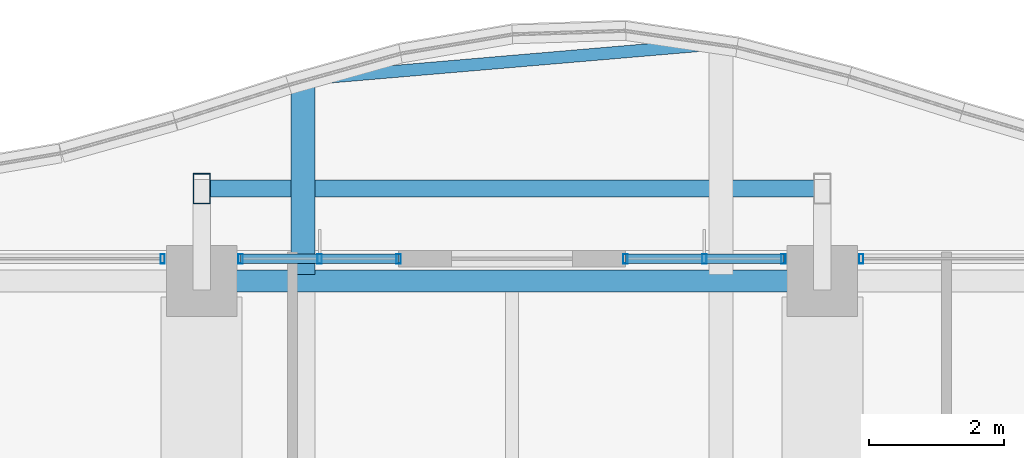
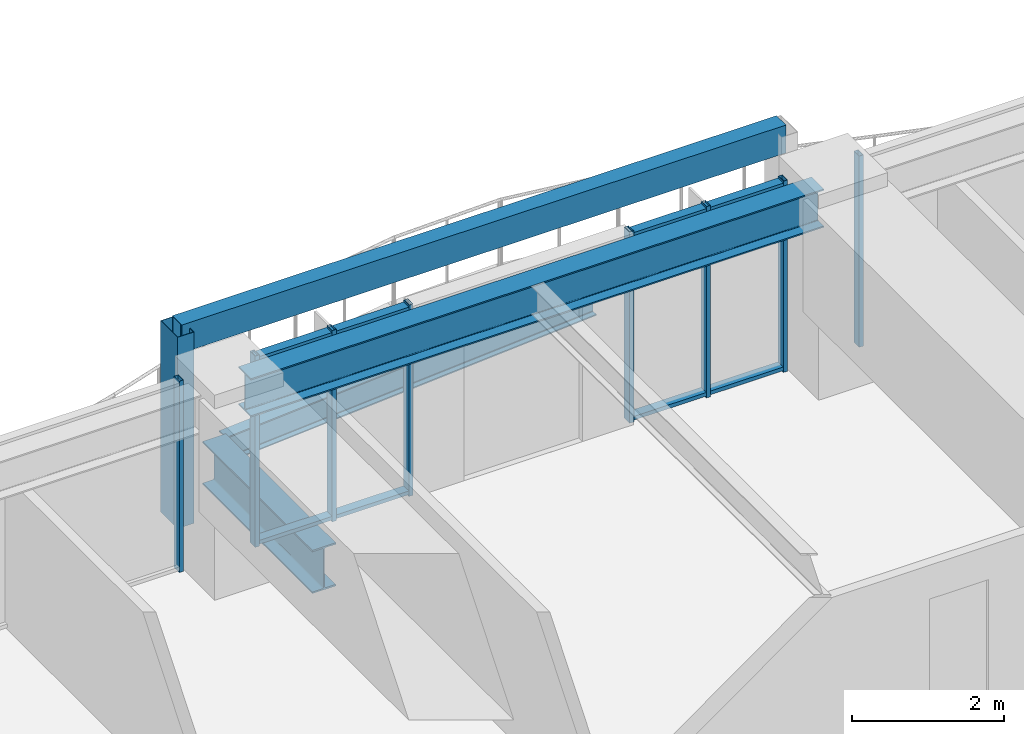
# One storey, part 23 of 39: 14 members, 3 beams, 4 elements without a shape of their own.
"""IFC4 building model written with IfcOpenShell, lengths in metres."""

from ifc_helpers import new_model, si_unit, direction, frame, origin, origin_2d, place, context, subcontext, project, spatial, hollow_rectangle, i_section, extrude, material, material_profile, profile_set, type_object, element, aggregate, save


model = new_model("IFC4")

# Units and contexts
model_context = context("Model", 3, precision=1e-05, world=origin(), true_north=direction((0.0, 1.0)))
body_context = subcontext(model_context, "Body", "Model", "MODEL_VIEW")
ifc_project = project(units=[si_unit("LENGTHUNIT", "METRE"), si_unit("AREAUNIT", "SQUARE_METRE"), si_unit("VOLUMEUNIT", "CUBIC_METRE"), si_unit("PLANEANGLEUNIT", "RADIAN"), si_unit("MASSUNIT", "GRAM", prefix="KILO")], contexts=[model_context])

# Site, building, storey
site_placement = place(None, origin())
site = spatial("IfcSite", under=ifc_project, at=site_placement, CompositionType="ELEMENT")
building_placement = place(site_placement, origin())
building = spatial("IfcBuilding", under=site, at=building_placement, Name="Kolvaren Belvedere", CompositionType="ELEMENT")
storey_placement = place(building_placement, frame((0.0, 0.0, 85.39990234375)))
storey = spatial("IfcBuildingStorey", under=building, at=storey_placement, Name="L24", CompositionType="ELEMENT", Elevation=85.39990234375)

# Beams
ifc_material_1 = material(Name="Structural steel ASTM A992 Grade 50", Category="steel")
ifc_material_profile_1 = material_profile(ifc_material_1, i_section(OverallWidth=0.35498046875, OverallDepth=0.696044921875, WebThickness=0.015380859375, FlangeThickness=0.02490234375, FilletRadius=0.02197265625, at=origin_2d()), Name="W27X146")
ifc_profile_set_1 = profile_set([ifc_material_profile_1], Name="Structural steel ASTM A992 Grade 50")
beam_type_1 = type_object("IfcBeamType", Name="BM-CANT-BAL", PredefinedType="BEAM", material=ifc_profile_set_1)
beam_1_placement = place(storey_placement, frame((-3.10009765625, 20.044921875, -0.56787109375), z_axis=(0.0, 1.0, 0.0), x_axis=(-1.0, 0.0, 0.0)))
element("IfcBeam", 1, at=beam_1_placement, inside=storey, type_object=beam_type_1, Name="L24 Planted Balcony Cantilever BAL-N-1", PredefinedType="BEAM", context=body_context, shape_type="SweptSolid", body=[
    extrude(i_section(OverallWidth=0.35498046875, OverallDepth=0.696044921875, WebThickness=0.015380859375, FlangeThickness=0.02490234375, FilletRadius=0.02197265625, at=origin_2d()), origin(), (0.0, 0.0, 1.0), 2.896484375),
])
ifc_material_2 = material(Name="Structural steel ASTM A992 Grade 50", Category="steel")
ifc_material_profile_2 = material_profile(ifc_material_2, i_section(OverallWidth=0.180908203125, OverallDepth=0.4169921875, WebThickness=0.010986328125, FlangeThickness=0.018310546875, FilletRadius=0.013916015625, at=origin_2d()), Name="W16X57")
ifc_profile_set_2 = profile_set([ifc_material_profile_2], Name="Structural steel ASTM A992 Grade 50")
beam_type_2 = type_object("IfcBeamType", Name="BM-EDGE-W16X57", PredefinedType="BEAM", material=ifc_profile_set_2)
beam_2_placement = place(storey_placement, frame((-2.96044921875, 22.953369140625, -0.428466796875), z_axis=(0.996380629298, 0.085003773793, 0.0), x_axis=(-0.085003773793, 0.996380629298, 0.0)))
element("IfcBeam", 2, at=beam_2_placement, inside=storey, type_object=beam_type_2, Name="L24 Balcony Tip Header Beam BAL-N", PredefinedType="BEAM", context=body_context, shape_type="SweptSolid", body=[
    extrude(i_section(OverallWidth=0.180908203125, OverallDepth=0.4169921875, WebThickness=0.010986328125, FlangeThickness=0.018310546875, FilletRadius=0.013916015625, at=origin_2d()), origin(), (0.0, 0.0, 1.0), 5.9423828125),
])
ifc_material_3 = material(Name="Structural steel ASTM A992 Grade 50", Category="steel")
ifc_material_profile_3 = material_profile(ifc_material_3, i_section(OverallWidth=0.324951171875, OverallDepth=0.615966796875, WebThickness=0.013916015625, FlangeThickness=0.021484375, FilletRadius=0.02001953125, at=origin_2d()), Name="W24X117")
ifc_profile_set_3 = profile_set([ifc_material_profile_3], Name="Structural steel ASTM A992 Grade 50")
beam_type_3 = type_object("IfcBeamType", Name="BM-SPAN-W24X117", PredefinedType="SPANDREL", material=ifc_profile_set_3)
beam_3_placement = place(storey_placement, frame((4.36376953125, 19.949951171875, 2.772216796875), z_axis=(-1.0, 0.0, 0.0), x_axis=(0.0, -1.0, 0.0)))
element("IfcBeam", 3, at=beam_3_placement, inside=storey, type_object=beam_type_3, Name="L24 Perimeter Spandrel N3-N2", PredefinedType="SPANDREL", context=body_context, shape_type="SweptSolid", body=[
    extrude(i_section(OverallWidth=0.324951171875, OverallDepth=0.615966796875, WebThickness=0.013916015625, FlangeThickness=0.021484375, FilletRadius=0.02001953125, at=origin_2d()), origin(), (0.0, 0.0, 1.0), 8.7275390625),
])

# Curtain wall, member
ifc_material_4 = material(Name="Anodised pale-metal aluminium AA 6063-T6", Category="aluminium")
curtain_wall_type = type_object("IfcCurtainWallType", Name="CW-Z2-MID", PredefinedType="NOTDEFINED", material=ifc_material_4)
curtain_wall_1_placement = place(storey_placement, origin())
curtain_wall_1 = element("IfcCurtainWall", 4, at=curtain_wall_1_placement, inside=storey, type_object=curtain_wall_type, Name="L24 Unitised Curtain Wall FCW-L24-N1-B1", PredefinedType="NOTDEFINED")
ifc_material_5 = material(Name="Anodised pale-metal aluminium AA 6063-T6", Category="aluminium")
ifc_material_profile_4 = material_profile(ifc_material_5, hollow_rectangle(XDim=0.06494140625, YDim=0.139892578125, WallThickness=0.00390625, at=origin_2d()), Name="ALU-MUL-140X65")
ifc_profile_set_4 = profile_set([ifc_material_profile_4], Name="Anodised pale-metal aluminium AA 6063-T6")
member_type_1 = type_object("IfcMemberType", Name="CW-MUL-140", PredefinedType="MULLION", material=ifc_profile_set_4)
member_1_placement = place(storey_placement, frame((-5.177490234375, 20.280029296875, 0.0), z_axis=(0.0, 0.0, 1.0), x_axis=(1.0, 0.0, 0.0)))
member_1 = element("IfcMember", 5, at=member_1_placement, type_object=member_type_1, Name="FCW-L24-N1-B1 Unitised Mullion 3", PredefinedType="MULLION", context=body_context, shape_type="SweptSolid", body=[
    extrude(hollow_rectangle(XDim=0.06494140625, YDim=0.139892578125, WallThickness=0.00390625, at=origin_2d()), origin(), (0.0, 0.0, 1.0), 3.080078125),
])
aggregate(curtain_wall_1, [member_1])

# Curtain wall, members
curtain_wall_2_placement = place(storey_placement, origin())
curtain_wall_2 = element("IfcCurtainWall", 6, at=curtain_wall_2_placement, inside=storey, type_object=curtain_wall_type, Name="L24 Unitised Curtain Wall FCW-L24-N1-B2", PredefinedType="NOTDEFINED")
member_2_placement = place(storey_placement, frame((-4.0224609375, 20.280029296875, 0.0), z_axis=(0.0, 0.0, 1.0), x_axis=(1.0, 0.0, 0.0)))
member_2 = element("IfcMember", 7, at=member_2_placement, type_object=member_type_1, Name="FCW-L24-N1-B2 Unitised Mullion 1", PredefinedType="MULLION", context=body_context, shape_type="SweptSolid", body=[
    extrude(hollow_rectangle(XDim=0.06494140625, YDim=0.139892578125, WallThickness=0.00390625, at=origin_2d()), origin(), (0.0, 0.0, 1.0), 3.080078125),
])
member_3_placement = place(storey_placement, frame((-2.851318359375, 20.280029296875, 0.0), z_axis=(0.0, 0.0, 1.0), x_axis=(1.0, 0.0, 0.0)))
member_3 = element("IfcMember", 8, at=member_3_placement, type_object=member_type_1, Name="FCW-L24-N1-B2 Unitised Mullion 2", PredefinedType="MULLION", context=body_context, shape_type="SweptSolid", body=[
    extrude(hollow_rectangle(XDim=0.06494140625, YDim=0.139892578125, WallThickness=0.00390625, at=origin_2d()), origin(), (0.0, 0.0, 1.0), 3.080078125),
])
member_4_placement = place(storey_placement, frame((-1.679931640625, 20.280029296875, 0.0), z_axis=(0.0, 0.0, 1.0), x_axis=(1.0, 0.0, 0.0)))
member_4 = element("IfcMember", 9, at=member_4_placement, type_object=member_type_1, Name="FCW-L24-N1-B2 Unitised Mullion 3", PredefinedType="MULLION", context=body_context, shape_type="SweptSolid", body=[
    extrude(hollow_rectangle(XDim=0.06494140625, YDim=0.139892578125, WallThickness=0.00390625, at=origin_2d()), origin(), (0.0, 0.0, 1.0), 3.080078125),
])

curtain_wall_3_placement = place(storey_placement, origin())
curtain_wall_3 = element("IfcCurtainWall", 10, at=curtain_wall_3_placement, inside=storey, type_object=curtain_wall_type, Name="L24 Unitised Curtain Wall FCW-L24-N2-B1", PredefinedType="NOTDEFINED")
member_5_placement = place(storey_placement, frame((1.679931640625, 20.280029296875, 0.0), z_axis=(0.0, 0.0, 1.0), x_axis=(1.0, 0.0, 0.0)))
member_5 = element("IfcMember", 11, at=member_5_placement, type_object=member_type_1, Name="FCW-L24-N2-B1 Unitised Mullion 1", PredefinedType="MULLION", context=body_context, shape_type="SweptSolid", body=[
    extrude(hollow_rectangle(XDim=0.06494140625, YDim=0.139892578125, WallThickness=0.00390625, at=origin_2d()), origin(), (0.0, 0.0, 1.0), 3.080078125),
])
member_6_placement = place(storey_placement, frame((2.851318359375, 20.280029296875, 0.0), z_axis=(0.0, 0.0, 1.0), x_axis=(1.0, 0.0, 0.0)))
member_6 = element("IfcMember", 12, at=member_6_placement, type_object=member_type_1, Name="FCW-L24-N2-B1 Unitised Mullion 2", PredefinedType="MULLION", context=body_context, shape_type="SweptSolid", body=[
    extrude(hollow_rectangle(XDim=0.06494140625, YDim=0.139892578125, WallThickness=0.00390625, at=origin_2d()), origin(), (0.0, 0.0, 1.0), 3.080078125),
])
member_7_placement = place(storey_placement, frame((4.0224609375, 20.280029296875, 0.0), z_axis=(0.0, 0.0, 1.0), x_axis=(1.0, 0.0, 0.0)))
member_7 = element("IfcMember", 13, at=member_7_placement, type_object=member_type_1, Name="FCW-L24-N2-B1 Unitised Mullion 3", PredefinedType="MULLION", context=body_context, shape_type="SweptSolid", body=[
    extrude(hollow_rectangle(XDim=0.06494140625, YDim=0.139892578125, WallThickness=0.00390625, at=origin_2d()), origin(), (0.0, 0.0, 1.0), 3.080078125),
])

# Curtain wall, member
curtain_wall_4_placement = place(storey_placement, origin())
curtain_wall_4 = element("IfcCurtainWall", 14, at=curtain_wall_4_placement, inside=storey, type_object=curtain_wall_type, Name="L24 Unitised Curtain Wall FCW-L24-N2-B2", PredefinedType="NOTDEFINED")
member_8_placement = place(storey_placement, frame((5.177490234375, 20.280029296875, 0.0), z_axis=(0.0, 0.0, 1.0), x_axis=(1.0, 0.0, 0.0)))
member_8 = element("IfcMember", 15, at=member_8_placement, type_object=member_type_1, Name="FCW-L24-N2-B2 Unitised Mullion 1", PredefinedType="MULLION", context=body_context, shape_type="SweptSolid", body=[
    extrude(hollow_rectangle(XDim=0.06494140625, YDim=0.139892578125, WallThickness=0.00390625, at=origin_2d()), origin(), (0.0, 0.0, 1.0), 3.080078125),
])
aggregate(curtain_wall_4, [member_8])

# Member
ifc_material_6 = material(Name="Anodised pale-metal aluminium AA 6063-T6", Category="aluminium")
ifc_material_profile_5 = material_profile(ifc_material_6, hollow_rectangle(XDim=0.06005859375, YDim=0.139892578125, WallThickness=0.00390625, at=origin_2d()), Name="ALU-TRN-140X60")
ifc_profile_set_5 = profile_set([ifc_material_profile_5], Name="Anodised pale-metal aluminium AA 6063-T6")
member_type_2 = type_object("IfcMemberType", Name="CW-TRN-140", PredefinedType="USERDEFINED", material=ifc_profile_set_5)
member_9_placement = place(storey_placement, frame((-4.0224609375, 20.280029296875, 0.06005859375), z_axis=(1.0, 0.0, 0.0), x_axis=(0.0, 0.0, 1.0)))
member_9 = element("IfcMember", 16, at=member_9_placement, type_object=member_type_2, Name="FCW-L24-N1-B2 Sill Transom", ObjectType="TRANSOM", PredefinedType="USERDEFINED", context=body_context, shape_type="SweptSolid", body=[
    extrude(hollow_rectangle(XDim=0.06005859375, YDim=0.139892578125, WallThickness=0.00390625, at=origin_2d()), origin(), (0.0, 0.0, 1.0), 2.342529296875),
])

member_10_placement = place(storey_placement, frame((-4.0224609375, 20.280029296875, 3.02001953125), z_axis=(1.0, 0.0, 0.0), x_axis=(0.0, 0.0, 1.0)))
member_10 = element("IfcMember", 17, at=member_10_placement, type_object=member_type_2, Name="FCW-L24-N1-B2 Head Transom", ObjectType="TRANSOM", PredefinedType="USERDEFINED", context=body_context, shape_type="SweptSolid", body=[
    extrude(hollow_rectangle(XDim=0.06005859375, YDim=0.139892578125, WallThickness=0.00390625, at=origin_2d()), origin(), (0.0, 0.0, 1.0), 2.342529296875),
])

aggregate(curtain_wall_2, [member_2, member_3, member_4, member_9, member_10])

member_11_placement = place(storey_placement, frame((1.679931640625, 20.280029296875, 0.06005859375), z_axis=(1.0, 0.0, 0.0), x_axis=(0.0, 0.0, 1.0)))
member_11 = element("IfcMember", 18, at=member_11_placement, type_object=member_type_2, Name="FCW-L24-N2-B1 Sill Transom", ObjectType="TRANSOM", PredefinedType="USERDEFINED", context=body_context, shape_type="SweptSolid", body=[
    extrude(hollow_rectangle(XDim=0.06005859375, YDim=0.139892578125, WallThickness=0.00390625, at=origin_2d()), origin(), (0.0, 0.0, 1.0), 2.342529296875),
])

member_12_placement = place(storey_placement, frame((1.679931640625, 20.280029296875, 3.02001953125), z_axis=(1.0, 0.0, 0.0), x_axis=(0.0, 0.0, 1.0)))
member_12 = element("IfcMember", 19, at=member_12_placement, type_object=member_type_2, Name="FCW-L24-N2-B1 Head Transom", ObjectType="TRANSOM", PredefinedType="USERDEFINED", context=body_context, shape_type="SweptSolid", body=[
    extrude(hollow_rectangle(XDim=0.06005859375, YDim=0.139892578125, WallThickness=0.00390625, at=origin_2d()), origin(), (0.0, 0.0, 1.0), 2.342529296875),
])

aggregate(curtain_wall_3, [member_5, member_6, member_7, member_11, member_12])

# Members
ifc_material_7 = material(Name="Anodised pale-metal aluminium AA 6063-T6", Category="aluminium")
ifc_material_profile_6 = material_profile(ifc_material_7, hollow_rectangle(XDim=0.25, YDim=0.449951171875, WallThickness=0.008544921875, at=origin_2d()), Name="ALU-PF-450X250")
ifc_profile_set_6 = profile_set([ifc_material_profile_6], Name="Anodised pale-metal aluminium AA 6063-T6")
member_type_3 = type_object("IfcMemberType", Name="PF-FRAME-450", PredefinedType="USERDEFINED", material=ifc_profile_set_6)
member_13_placement = place(storey_placement, frame((-4.60009765625, 21.320068359375, 0.0), z_axis=(0.0, 0.0, 1.0), x_axis=(1.0, 0.0, 0.0)))
element("IfcMember", 20, at=member_13_placement, inside=storey, type_object=member_type_3, Name="L24 Outboard Picture-Frame Vertical N1", ObjectType="PICTURE FRAME FIN", PredefinedType="USERDEFINED", context=body_context, shape_type="SweptSolid", body=[
    extrude(hollow_rectangle(XDim=0.25, YDim=0.449951171875, WallThickness=0.008544921875, at=origin_2d()), origin(), (0.0, 0.0, 1.0), 3.080078125),
])
member_14_placement = place(storey_placement, frame((-4.60009765625, 21.320068359375, 2.9501953125), z_axis=(1.0, 0.0, 0.0), x_axis=(0.0, 1.0, 0.0)))
element("IfcMember", 21, at=member_14_placement, inside=storey, type_object=member_type_3, Name="L24 Outboard Picture-Frame Head N", ObjectType="PICTURE FRAME FIN", PredefinedType="USERDEFINED", context=body_context, shape_type="SweptSolid", body=[
    extrude(hollow_rectangle(XDim=0.25, YDim=0.449951171875, WallThickness=0.008544921875, at=origin_2d()), origin(), (0.0, 0.0, 1.0), 9.2001953125),
])

save(model, "model.ifc")
